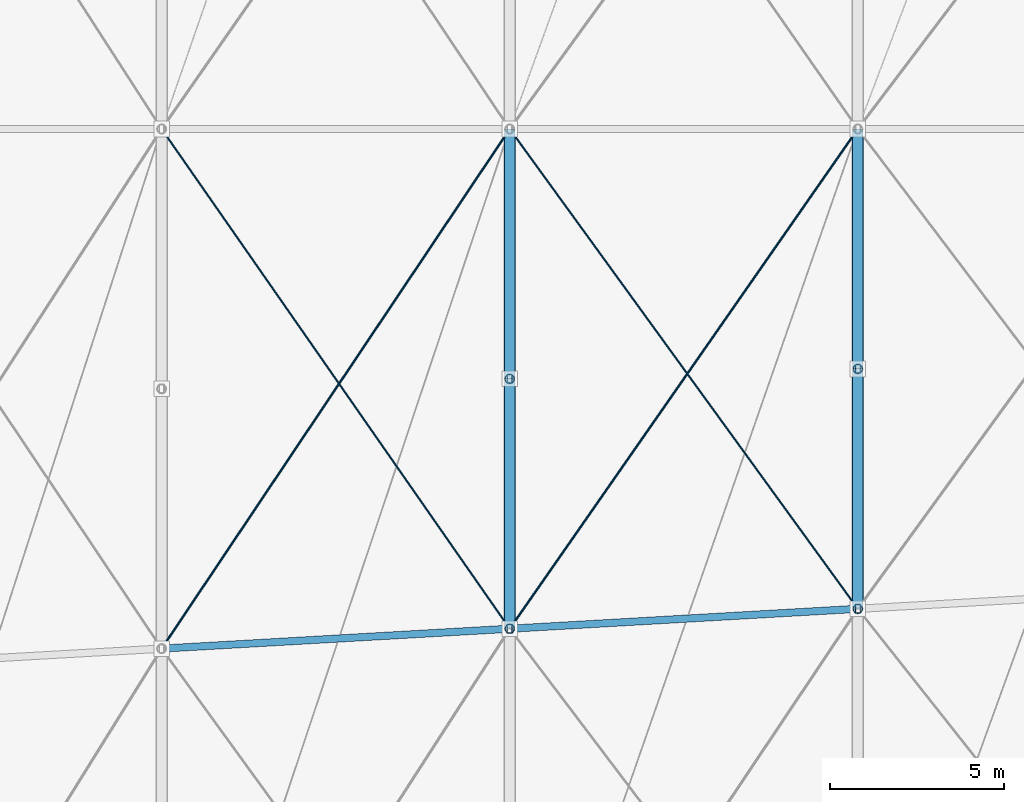
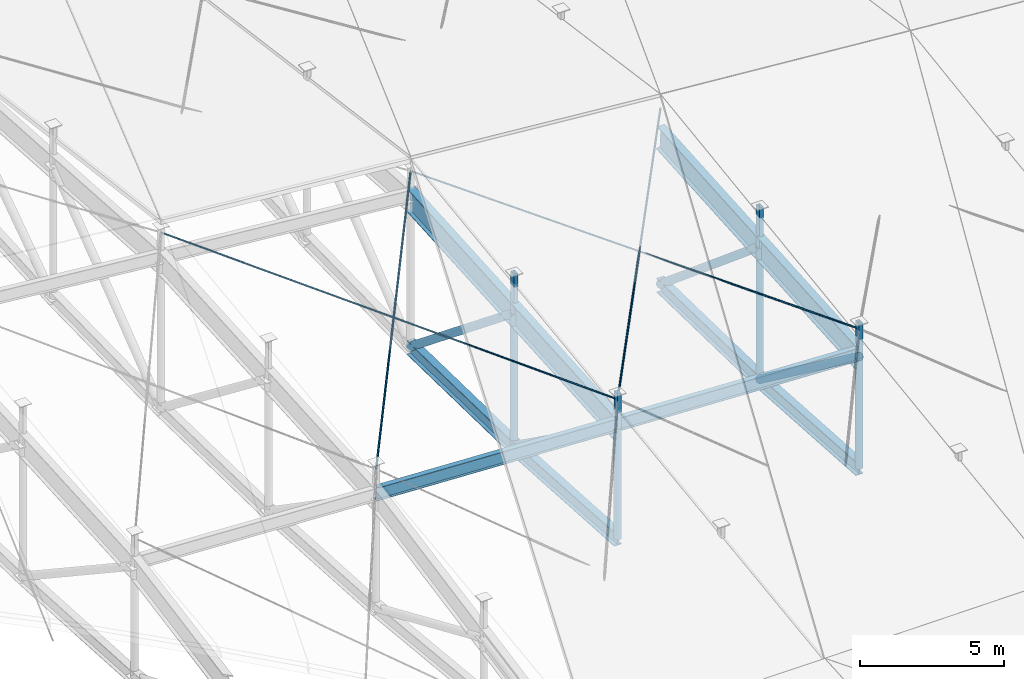
# One storey, part 24 of 68: 16 members, 10 beams.
"""IFC4 building model written with IfcOpenShell, lengths in metres."""

from ifc_helpers import new_model, si_unit, direction, frame, origin, origin_2d, place, context, subcontext, project, spatial, hollow_rectangle, circle, hollow_circle, i_section, extrude, material, material_profile, profile_set, type_object, element, save


model = new_model("IFC4")

# Units and contexts
model_context = context("Model", 3, precision=1e-05, world=origin(), true_north=direction((0.0, 1.0)))
body_context = subcontext(model_context, "Body", "Model", "MODEL_VIEW")
ifc_project = project(units=[si_unit("LENGTHUNIT", "METRE"), si_unit("AREAUNIT", "SQUARE_METRE"), si_unit("VOLUMEUNIT", "CUBIC_METRE"), si_unit("PLANEANGLEUNIT", "RADIAN"), si_unit("MASSUNIT", "GRAM", prefix="KILO")], contexts=[model_context])

# Site, building, storey
site_placement = place(None, origin())
site = spatial("IfcSite", under=ifc_project, at=site_placement, CompositionType="ELEMENT")
building_placement = place(site_placement, origin())
building = spatial("IfcBuilding", under=site, at=building_placement, Name="Sohan Crest Arena", CompositionType="ELEMENT")
storey_placement = place(building_placement, frame((0.0, 0.0, 27.0)))
storey = spatial("IfcBuildingStorey", under=building, at=storey_placement, Name="RF", CompositionType="ELEMENT", Elevation=27.0)

# Beams
ifc_material_1 = material(Name="Steel S355", Category="steel")
ifc_material_profile_1 = material_profile(ifc_material_1, i_section(OverallWidth=0.2099609375, OverallDepth=0.550048828125, WebThickness=0.010986328125, FlangeThickness=0.01708984375, at=origin_2d()), Name="IPE 550")
ifc_profile_set_1 = profile_set([ifc_material_profile_1], Name="Steel S355")
beam_type_1 = type_object("IfcBeamType", Name="STR-BM-B06", PredefinedType="BEAM", material=ifc_profile_set_1)
beam_1_placement = place(storey_placement, frame((108.0, 63.072021484375, 3.5810546875), z_axis=(0.994394230537, 0.056784377569, -0.089194443432), x_axis=(-0.057011612604, 0.998373515288, 0.0)))
element("IfcBeam", 1, at=beam_1_placement, inside=storey, type_object=beam_type_1, Name="Structural beam RP-RF-3147", PredefinedType="BEAM", context=body_context, shape_type="SweptSolid", body=[
    extrude(i_section(OverallWidth=0.2099609375, OverallDepth=0.550048828125, WebThickness=0.010986328125, FlangeThickness=0.01708984375, at=origin_2d()), origin(), (0.0, 0.0, 1.0), 10.056396484375),
])
beam_2_placement = place(storey_placement, frame((118.0, 63.64306640625, 2.68408203125), z_axis=(0.994715612164, 0.0568998701, -0.085459087871), x_axis=(-0.057108792309, 0.998367961145, 0.0)))
element("IfcBeam", 2, at=beam_2_placement, inside=storey, type_object=beam_type_1, Name="Structural beam RP-RF-3150", PredefinedType="BEAM", context=body_context, shape_type="SweptSolid", body=[
    extrude(i_section(OverallWidth=0.2099609375, OverallDepth=0.550048828125, WebThickness=0.010986328125, FlangeThickness=0.01708984375, at=origin_2d()), origin(), (0.0, 0.0, 1.0), 10.05322265625),
])
ifc_material_profile_2 = material_profile(ifc_material_1, i_section(OverallWidth=0.300048828125, OverallDepth=0.60009765625, WebThickness=0.015380859375, FlangeThickness=0.030029296875, at=origin_2d()), Name="HEB 600")
ifc_profile_set_2 = profile_set([ifc_material_profile_2], Name="Steel S355")
beam_type_2 = type_object("IfcBeamType", Name="STR-BM-B15", PredefinedType="BEAM", material=ifc_profile_set_2)
beam_3_placement = place(storey_placement, frame((118.0, 63.64306640625, -2.1630859375), z_axis=(0.0, 0.998041601511, -0.062553670178), x_axis=(-1.0, 0.0, 0.0)))
element("IfcBeam", 3, at=beam_3_placement, inside=storey, type_object=beam_type_2, Name="Structural beam RAB-RF-3053", PredefinedType="BEAM", context=body_context, shape_type="SweptSolid", body=[
    extrude(i_section(OverallWidth=0.300048828125, OverallDepth=0.60009765625, WebThickness=0.015380859375, FlangeThickness=0.030029296875, at=origin_2d()), origin(), (0.0, 0.0, 1.0), 7.193115234375),
])
beam_4_placement = place(storey_placement, frame((118.0, 70.822021484375, -2.613037109375), z_axis=(0.0, 0.99978200802, -0.020879090947), x_axis=(-1.0, 0.0, 0.0)))
element("IfcBeam", 4, at=beam_4_placement, inside=storey, type_object=beam_type_2, Name="Structural beam RAB-RF-3055", PredefinedType="BEAM", context=body_context, shape_type="SweptSolid", body=[
    extrude(i_section(OverallWidth=0.300048828125, OverallDepth=0.60009765625, WebThickness=0.015380859375, FlangeThickness=0.030029296875, at=origin_2d()), origin(), (0.0, 0.0, 1.0), 7.179443359375),
])
beam_5_placement = place(storey_placement, frame((128.0, 64.215087890625, -3.02294921875), z_axis=(0.0, 0.99787556219, -0.065148771161), x_axis=(-1.0, 0.0, 0.0)))
element("IfcBeam", 5, at=beam_5_placement, inside=storey, type_object=beam_type_2, Name="Structural beam RAB-RF-3069", PredefinedType="BEAM", context=body_context, shape_type="SweptSolid", body=[
    extrude(i_section(OverallWidth=0.300048828125, OverallDepth=0.60009765625, WebThickness=0.015380859375, FlangeThickness=0.030029296875, at=origin_2d()), origin(), (0.0, 0.0, 1.0), 6.906494140625),
])
beam_6_placement = place(storey_placement, frame((128.0, 71.10693359375, -3.472900390625), z_axis=(0.0, 0.999762851214, -0.021777082719), x_axis=(-1.0, 0.0, 0.0)))
element("IfcBeam", 6, at=beam_6_placement, inside=storey, type_object=beam_type_2, Name="Structural beam RAB-RF-3071", PredefinedType="BEAM", context=body_context, shape_type="SweptSolid", body=[
    extrude(i_section(OverallWidth=0.300048828125, OverallDepth=0.60009765625, WebThickness=0.015380859375, FlangeThickness=0.030029296875, at=origin_2d()), origin(), (0.0, 0.0, 1.0), 6.894775390625),
])
ifc_material_profile_3 = material_profile(ifc_material_1, i_section(OverallWidth=0.300048828125, OverallDepth=1.0, WebThickness=0.01904296875, FlangeThickness=0.035888671875, at=origin_2d()), Name="HEB 1000")
ifc_profile_set_3 = profile_set([ifc_material_profile_3], Name="Steel S355")
beam_type_3 = type_object("IfcBeamType", Name="STR-BM-B19", PredefinedType="BEAM", material=ifc_profile_set_3)
beam_7_placement = place(storey_placement, frame((118.0, 63.64306640625, 2.52392578125), z_axis=(0.0, 0.997752004305, 0.067014460415), x_axis=(-1.0, 0.0, 0.0)))
element("IfcBeam", 7, at=beam_7_placement, inside=storey, type_object=beam_type_3, Name="Structural beam RA-RF-3052", PredefinedType="BEAM", context=body_context, shape_type="SweptSolid", body=[
    extrude(i_section(OverallWidth=0.300048828125, OverallDepth=1.0, WebThickness=0.01904296875, FlangeThickness=0.035888671875, at=origin_2d()), origin(), (0.0, 0.0, 1.0), 7.195068359375),
])
beam_8_placement = place(storey_placement, frame((118.0, 70.822021484375, 3.006103515625), z_axis=(0.0, 0.997762727447, 0.066854616274), x_axis=(-1.0, 0.0, 0.0)))
element("IfcBeam", 8, at=beam_8_placement, inside=storey, type_object=beam_type_3, Name="Structural beam RA-RF-3054", PredefinedType="BEAM", context=body_context, shape_type="SweptSolid", body=[
    extrude(i_section(OverallWidth=0.300048828125, OverallDepth=1.0, WebThickness=0.01904296875, FlangeThickness=0.035888671875, at=origin_2d()), origin(), (0.0, 0.0, 1.0), 7.194091796875),
])
beam_9_placement = place(storey_placement, frame((128.0, 64.215087890625, 1.6650390625), z_axis=(0.0, 0.997574473234, 0.069607257899), x_axis=(-1.0, 0.0, 0.0)))
element("IfcBeam", 9, at=beam_9_placement, inside=storey, type_object=beam_type_3, Name="Structural beam RA-RF-3068", PredefinedType="BEAM", context=body_context, shape_type="SweptSolid", body=[
    extrude(i_section(OverallWidth=0.300048828125, OverallDepth=1.0, WebThickness=0.01904296875, FlangeThickness=0.035888671875, at=origin_2d()), origin(), (0.0, 0.0, 1.0), 6.90966796875),
])
beam_10_placement = place(storey_placement, frame((128.0, 71.10791015625, 2.14599609375), z_axis=(0.0, 0.99757395956, 0.069614619211), x_axis=(-1.0, 0.0, 0.0)))
element("IfcBeam", 10, at=beam_10_placement, inside=storey, type_object=beam_type_3, Name="Structural beam RA-RF-3070", PredefinedType="BEAM", context=body_context, shape_type="SweptSolid", body=[
    extrude(i_section(OverallWidth=0.300048828125, OverallDepth=1.0, WebThickness=0.01904296875, FlangeThickness=0.035888671875, at=origin_2d()), origin(), (0.0, 0.0, 1.0), 6.908935546875),
])

# Members
ifc_material_profile_4 = material_profile(ifc_material_1, hollow_circle(Radius=0.136474609375, WallThickness=0.012451171875, at=origin_2d()), Name="CHS 273x12.5")
ifc_profile_set_4 = profile_set([ifc_material_profile_4], Name="Steel S355")
member_type_1 = type_object("IfcMemberType", Name="STR-MEM-BR02", PredefinedType="BRACE", material=ifc_profile_set_4)
member_1_placement = place(storey_placement, frame((118.0, 63.64306640625, -2.1630859375), z_axis=(0.0, 0.0, 1.0), x_axis=(1.0, 0.0, 0.0)))
element("IfcMember", 11, at=member_1_placement, inside=storey, type_object=member_type_1, Name="Lenticular roof truss web strut TW-121", PredefinedType="BRACE", context=body_context, shape_type="SweptSolid", body=[
    extrude(hollow_circle(Radius=0.136474609375, WallThickness=0.012451171875, at=origin_2d()), origin(), (0.0, 0.0, 1.0), 4.68701171875),
])
member_2_placement = place(storey_placement, frame((118.0, 70.822021484375, -2.613037109375), z_axis=(0.0, 0.0, 1.0), x_axis=(1.0, 0.0, 0.0)))
element("IfcMember", 12, at=member_2_placement, inside=storey, type_object=member_type_1, Name="Lenticular roof truss web strut TW-123", PredefinedType="BRACE", context=body_context, shape_type="SweptSolid", body=[
    extrude(hollow_circle(Radius=0.136474609375, WallThickness=0.012451171875, at=origin_2d()), origin(), (0.0, 0.0, 1.0), 5.619140625),
])
member_3_placement = place(storey_placement, frame((128.0, 64.215087890625, -3.02294921875), z_axis=(0.0, 0.0, 1.0), x_axis=(1.0, 0.0, 0.0)))
element("IfcMember", 13, at=member_3_placement, inside=storey, type_object=member_type_1, Name="Lenticular roof truss web strut TW-145", PredefinedType="BRACE", context=body_context, shape_type="SweptSolid", body=[
    extrude(hollow_circle(Radius=0.136474609375, WallThickness=0.012451171875, at=origin_2d()), origin(), (0.0, 0.0, 1.0), 4.68798828125),
])
member_4_placement = place(storey_placement, frame((128.0, 71.10693359375, -3.472900390625), z_axis=(0.0, 0.000173799693, 0.999999984897), x_axis=(1.0, 0.0, 0.0)))
element("IfcMember", 14, at=member_4_placement, inside=storey, type_object=member_type_1, Name="Lenticular roof truss web strut TW-147", PredefinedType="BRACE", context=body_context, shape_type="SweptSolid", body=[
    extrude(hollow_circle(Radius=0.136474609375, WallThickness=0.012451171875, at=origin_2d()), origin(), (0.0, 0.0, 1.0), 5.618896484375),
])
ifc_material_profile_5 = material_profile(ifc_material_1, hollow_circle(Radius=0.161865234375, WallThickness=0.012451171875, at=origin_2d()), Name="CHS 323.9x12.5")
ifc_profile_set_5 = profile_set([ifc_material_profile_5], Name="Steel S355")
member_type_2 = type_object("IfcMemberType", Name="STR-MEM-BR03", PredefinedType="BRACE", material=ifc_profile_set_5)
member_5_placement = place(storey_placement, frame((118.0, 70.822021484375, -2.613037109375), z_axis=(0.0, -0.813243585196, 0.581923423775), x_axis=(1.0, 0.0, 0.0)))
element("IfcMember", 15, at=member_5_placement, inside=storey, type_object=member_type_2, Name="Lenticular roof truss web diagonal TD-122", PredefinedType="BRACE", context=body_context, shape_type="SweptSolid", body=[
    extrude(hollow_circle(Radius=0.161865234375, WallThickness=0.012451171875, at=origin_2d()), origin(), (0.0, 0.0, 1.0), 8.82763671875),
])
member_6_placement = place(storey_placement, frame((118.0, 78.0, -2.762939453125), z_axis=(0.0, -0.779454609925, 0.626458706593), x_axis=(1.0, 0.0, 0.0)))
element("IfcMember", 16, at=member_6_placement, inside=storey, type_object=member_type_2, Name="Lenticular roof truss web diagonal TD-124", PredefinedType="BRACE", context=body_context, shape_type="SweptSolid", body=[
    extrude(hollow_circle(Radius=0.161865234375, WallThickness=0.012451171875, at=origin_2d()), origin(), (0.0, 0.0, 1.0), 9.208984375),
])
member_7_placement = place(storey_placement, frame((128.0, 71.10693359375, -3.472900390625), z_axis=(0.0, -0.801724583837, 0.597693643659), x_axis=(1.0, 0.0, 0.0)))
element("IfcMember", 17, at=member_7_placement, inside=storey, type_object=member_type_2, Name="Lenticular roof truss web diagonal TD-146", PredefinedType="BRACE", context=body_context, shape_type="SweptSolid", body=[
    extrude(hollow_circle(Radius=0.161865234375, WallThickness=0.012451171875, at=origin_2d()), origin(), (0.0, 0.0, 1.0), 8.59619140625),
])
member_8_placement = place(storey_placement, frame((128.0, 78.0, -3.623046875), z_axis=(0.0, -0.766816746437, 0.641866089915), x_axis=(1.0, 0.0, 0.0)))
element("IfcMember", 18, at=member_8_placement, inside=storey, type_object=member_type_2, Name="Lenticular roof truss web diagonal TD-148", PredefinedType="BRACE", context=body_context, shape_type="SweptSolid", body=[
    extrude(hollow_circle(Radius=0.161865234375, WallThickness=0.012451171875, at=origin_2d()), origin(), (0.0, 0.0, 1.0), 8.988037109375),
])
ifc_material_2 = material(Name="Steel S460", Category="steel")
ifc_material_profile_6 = material_profile(ifc_material_2, circle(Radius=0.031982421875, at=origin_2d()), Name="FLC D64")
ifc_profile_set_6 = profile_set([ifc_material_profile_6], Name="Steel S460")
member_type_3 = type_object("IfcMemberType", Name="STR-MEM-CB01", PredefinedType="USERDEFINED", material=ifc_profile_set_6)
member_9_placement = place(storey_placement, frame((108.0, 63.072021484375, 4.60107421875), z_axis=(0.556545086278, 0.830809309094, 0.003668632161), x_axis=(-0.830814900024, 0.556548831548, 0.0)))
element("IfcMember", 19, at=member_9_placement, inside=storey, type_object=member_type_3, Name="Full-locked-coil roof cable CB-011", ObjectType="CABLE", PredefinedType="USERDEFINED", context=body_context, shape_type="SweptSolid", body=[
    extrude(circle(Radius=0.031982421875, at=origin_2d()), origin(), (0.0, 0.0, 1.0), 17.968017578125),
])
member_10_placement = place(storey_placement, frame((118.0, 63.64306640625, 3.7041015625), z_axis=(0.571538591204, 0.820554160018, 0.005874456711), x_axis=(-0.820568318735, 0.571548453141, 0.0)))
element("IfcMember", 20, at=member_10_placement, inside=storey, type_object=member_type_3, Name="Full-locked-coil roof cable CB-019", ObjectType="CABLE", PredefinedType="USERDEFINED", context=body_context, shape_type="SweptSolid", body=[
    extrude(circle(Radius=0.031982421875, at=origin_2d()), origin(), (0.0, 0.0, 1.0), 17.49658203125),
])
ifc_material_profile_7 = material_profile(ifc_material_2, circle(Radius=0.02587890625, at=origin_2d()), Name="FLC D52")
ifc_profile_set_7 = profile_set([ifc_material_profile_7], Name="Steel S460")
member_type_4 = type_object("IfcMemberType", Name="STR-MEM-CB02", PredefinedType="USERDEFINED", material=ifc_profile_set_7)
member_11_placement = place(storey_placement, frame((108.0, 78.0, 5.56298828125), z_axis=(0.568349725919, -0.815975927304, -0.105649775712), x_axis=(0.820568318735, 0.571548453141, 0.0)))
element("IfcMember", 21, at=member_11_placement, inside=storey, type_object=member_type_4, Name="Full-locked-coil roof cable CB-012", ObjectType="CABLE", PredefinedType="USERDEFINED", context=body_context, shape_type="SweptSolid", body=[
    extrude(circle(Radius=0.02587890625, at=origin_2d()), origin(), (0.0, 0.0, 1.0), 17.5947265625),
])
member_12_placement = place(storey_placement, frame((118.0, 78.0, 4.6669921875), z_axis=(0.583864026265, -0.80485142859, -0.106381279981), x_axis=(0.809444694423, 0.587196122834, 0.0)))
element("IfcMember", 22, at=member_12_placement, inside=storey, type_object=member_type_4, Name="Full-locked-coil roof cable CB-020", ObjectType="CABLE", PredefinedType="USERDEFINED", context=body_context, shape_type="SweptSolid", body=[
    extrude(circle(Radius=0.02587890625, at=origin_2d()), origin(), (0.0, 0.0, 1.0), 17.127197265625),
])
ifc_material_profile_8 = material_profile(ifc_material_1, hollow_rectangle(XDim=0.14990234375, YDim=0.25, WallThickness=0.010009765625, at=origin_2d()), Name="RHS 250x150x10")
ifc_profile_set_8 = profile_set([ifc_material_profile_8], Name="Steel S355")
member_type_5 = type_object("IfcMemberType", Name="STR-MEM-CH02", PredefinedType="CHORD", material=ifc_profile_set_8)
member_13_placement = place(storey_placement, frame((118.0, 63.64306640625, 2.52392578125), z_axis=(0.0, 0.0, 1.0), x_axis=(1.0, 0.0, 0.0)))
element("IfcMember", 23, at=member_13_placement, inside=storey, type_object=member_type_5, Name="Roof deck bearing saddle chord RSP-111", PredefinedType="CHORD", context=body_context, shape_type="SweptSolid", body=[
    extrude(hollow_rectangle(XDim=0.14990234375, YDim=0.25, WallThickness=0.010009765625, at=origin_2d()), origin(), (0.0, 0.0, 1.0), 1.489990234375),
])
member_14_placement = place(storey_placement, frame((118.0, 70.822021484375, 3.006103515625), z_axis=(0.0, 0.0, 1.0), x_axis=(1.0, 0.0, 0.0)))
element("IfcMember", 24, at=member_14_placement, inside=storey, type_object=member_type_5, Name="Roof deck bearing saddle chord RSP-112", PredefinedType="CHORD", context=body_context, shape_type="SweptSolid", body=[
    extrude(hollow_rectangle(XDim=0.14990234375, YDim=0.25, WallThickness=0.010009765625, at=origin_2d()), origin(), (0.0, 0.0, 1.0), 1.72998046875),
])
member_15_placement = place(storey_placement, frame((128.0, 64.215087890625, 1.6650390625), z_axis=(0.0, 0.0, 1.0), x_axis=(1.0, 0.0, 0.0)))
element("IfcMember", 25, at=member_15_placement, inside=storey, type_object=member_type_5, Name="Roof deck bearing saddle chord RSP-135", PredefinedType="CHORD", context=body_context, shape_type="SweptSolid", body=[
    extrude(hollow_rectangle(XDim=0.14990234375, YDim=0.25, WallThickness=0.010009765625, at=origin_2d()), origin(), (0.0, 0.0, 1.0), 1.489990234375),
])
member_16_placement = place(storey_placement, frame((128.0, 71.10791015625, 2.14599609375), z_axis=(0.0, -0.000564493277, 0.999999840674), x_axis=(1.0, 0.0, 0.0)))
element("IfcMember", 26, at=member_16_placement, inside=storey, type_object=member_type_5, Name="Roof deck bearing saddle chord RSP-136", PredefinedType="CHORD", context=body_context, shape_type="SweptSolid", body=[
    extrude(hollow_rectangle(XDim=0.14990234375, YDim=0.25, WallThickness=0.010009765625, at=origin_2d()), origin(), (0.0, 0.0, 1.0), 1.72998046875),
])

save(model, "model.ifc")
